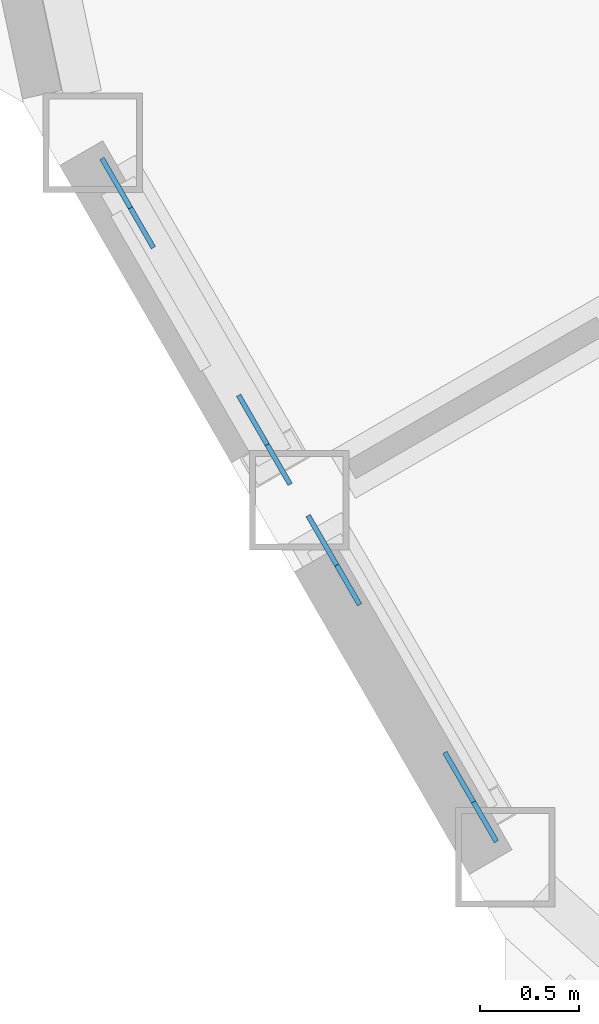
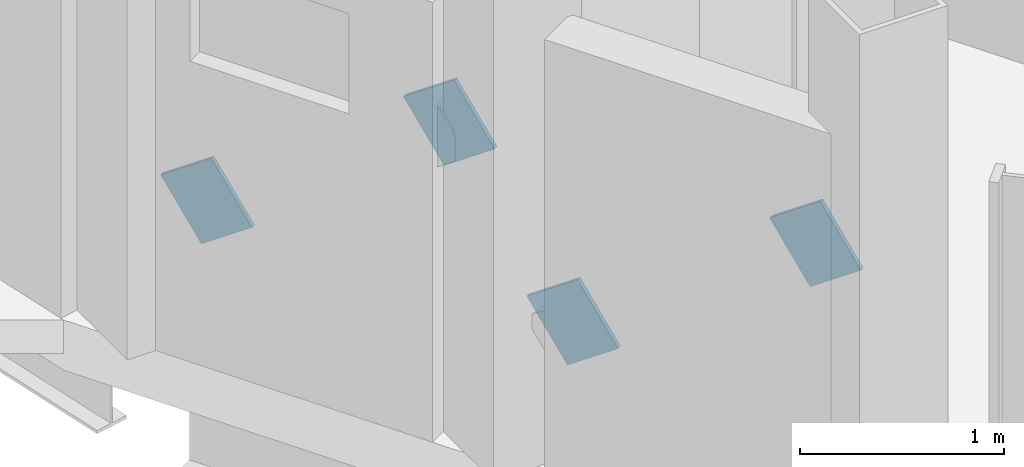
# One storey, part 19 of 26: 4 discrete accessories.
"""IFC4 building model written with IfcOpenShell, lengths in metres."""

from ifc_helpers import new_model, si_unit, direction, frame, origin, origin_2d, place, context, subcontext, project, spatial, rectangle, extrude, material, material_profile, profile_set, type_object, element, save


model = new_model("IFC4")

# Units and contexts
model_context = context("Model", 3, precision=1e-05, world=origin(), true_north=direction((0.0, 1.0)))
body_context = subcontext(model_context, "Body", "Model", "MODEL_VIEW")
ifc_project = project(units=[si_unit("LENGTHUNIT", "METRE"), si_unit("AREAUNIT", "SQUARE_METRE"), si_unit("VOLUMEUNIT", "CUBIC_METRE"), si_unit("PLANEANGLEUNIT", "RADIAN"), si_unit("MASSUNIT", "GRAM", prefix="KILO")], contexts=[model_context])

# Site, building, storey
site_placement = place(None, origin())
site = spatial("IfcSite", under=ifc_project, at=site_placement, CompositionType="ELEMENT")
building_placement = place(site_placement, origin())
building = spatial("IfcBuilding", under=site, at=building_placement, Name="Cormorant Prow Tower", CompositionType="ELEMENT")
storey_placement = place(building_placement, frame((0.0, 0.0, 384.800048828125)))
storey = spatial("IfcBuildingStorey", under=building, at=storey_placement, Name="L87", CompositionType="ELEMENT", Elevation=384.800048828125)

# Discrete accessories
ifc_material = material(Name="Structural steel ASTM A500 Gr C", Category="steel")
ifc_material_profile = material_profile(ifc_material, rectangle(XDim=0.02490234375, YDim=0.405029296875, at=origin_2d()), Name="Gusset plate 25x405")
ifc_profile_set = profile_set([ifc_material_profile], Name="Structural steel ASTM A500 Gr C")
discrete_accessory_type = type_object("IfcDiscreteAccessoryType", Name="Gusset plate 25x405", PredefinedType="BRACKET", material=ifc_profile_set)
for number, where, z_axis, x_axis, name in (
    (1, (-27.8271484375, -14.2412109375, 0.941162109375), (-0.411016012482, 0.712474276306, -0.568723344945), (-0.866199709737, -0.499697971631, 0.0), "Gusset plate GP3 L87.WSW00.g0"),
    (2, (-27.28369140625, -15.182373046875, 1.692626953125), (0.411595697368, -0.712269842394, 0.568560158228), (0.865832418869, 0.500334110806, 0.0), "Gusset plate GP3 L87.WSW00.g1"),
    (3, (-26.7900390625, -16.037109375, 0.941162109375), (-0.411595697368, 0.712269842394, -0.568560158228), (-0.865832418869, -0.500334110806, 0.0), "Gusset plate GP3 L87.WSW01.g0"),
    (4, (-26.246826171875, -16.978271484375, 1.692626953125), (0.411595697368, -0.712269842394, 0.568560158228), (0.865832418869, 0.500334110806, 0.0), "Gusset plate GP3 L87.WSW01.g1"),
):
    element("IfcDiscreteAccessory", number, at=place(storey_placement, frame(where, z_axis=z_axis, x_axis=x_axis)), inside=storey, type_object=discrete_accessory_type, Name=name, PredefinedType="BRACKET", context=body_context, shape_type="SweptSolid", body=[
        extrude(rectangle(XDim=0.02490234375, YDim=0.405029296875, at=origin_2d()), origin(), (0.0, 0.0, 1.0), 0.349853515625),
    ])

save(model, "model.ifc")
